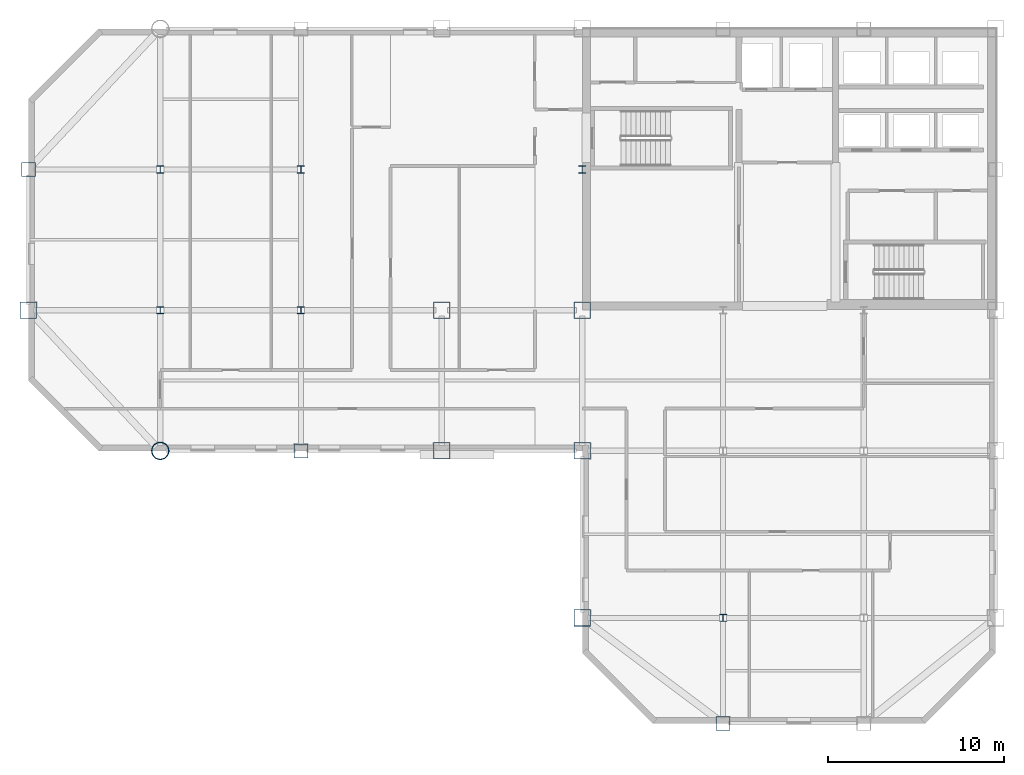
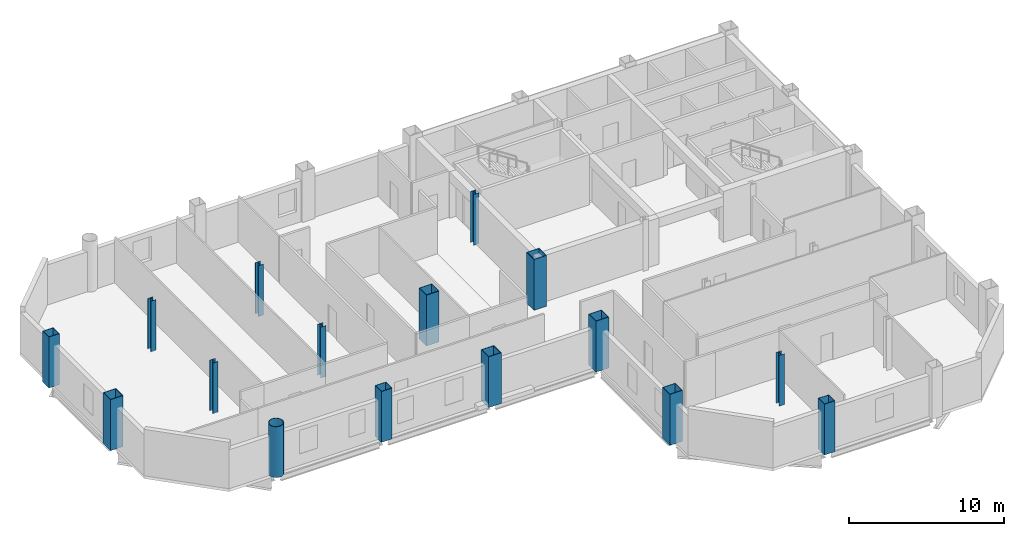
# One storey, part 1 of 11: 16 columns.
"""IFC4 building model written with IfcOpenShell, lengths in metres."""

from ifc_helpers import new_model, si_unit, direction, frame, origin, origin_2d, place, context, subcontext, project, spatial, hollow_rectangle, hollow_circle, i_section, extrude, material, material_profile, profile_set, type_object, element, save


model = new_model("IFC4")

# Units and contexts
model_context = context("Model", 3, precision=1e-05, world=origin(), true_north=direction((0.0, 1.0)))
body_context = subcontext(model_context, "Body", "Model", "MODEL_VIEW")
ifc_project = project(units=[si_unit("LENGTHUNIT", "METRE"), si_unit("AREAUNIT", "SQUARE_METRE"), si_unit("VOLUMEUNIT", "CUBIC_METRE"), si_unit("PLANEANGLEUNIT", "RADIAN"), si_unit("MASSUNIT", "GRAM", prefix="KILO")], contexts=[model_context])

# Site, building, storey
site_placement = place(None, origin())
site = spatial("IfcSite", under=ifc_project, at=site_placement, CompositionType="ELEMENT")
building_placement = place(site_placement, origin())
building = spatial("IfcBuilding", under=site, at=building_placement, Name="Qianrong Seaharbour Tower", CompositionType="ELEMENT")
storey_placement = place(building_placement, frame((0.0, 0.0, 277.800048828125)))
storey = spatial("IfcBuildingStorey", under=building, at=storey_placement, Name="L67", CompositionType="ELEMENT", Elevation=277.800048828125)

# Columns
ifc_material = material(Name="Structural steel SN490B", Category="steel")
ifc_material_profile_1 = material_profile(ifc_material, hollow_rectangle(XDim=0.949951171875, YDim=0.949951171875, WallThickness=0.035888671875, at=origin_2d()), Name="BOX950x950x36")
ifc_profile_set_1 = profile_set([ifc_material_profile_1], Name="Structural steel SN490B")
column_type_1 = type_object("IfcColumnType", Name="COL-CFT-950", PredefinedType="COLUMN", material=ifc_profile_set_1)
for number, where, z_axis, x_axis, name in (
    (1, (9.0, 36.0, 0.0), (0.0, 0.0, 1.0), (1.0, 0.0, 0.0), "L67 Column MC-4 at G2/GF"),
    (2, (32.5, 28.0, 0.0), (0.0, 0.0, 1.0), (1.0, 0.0, 0.0), "L67 Column MC-4 at G5/GE"),
    (3, (32.5, 36.0, 0.0), (0.0, 0.0, 1.0), (1.0, 0.0, 0.0), "L67 Column MC-4 at G5/GF"),
    (4, (40.5, 18.5, 0.0), (0.0, 0.0, 1.0), (1.0, 0.0, 0.0), "L67 Column MC-4 at G6/GD"),
    (5, (40.5, 28.0, 0.0), (0.0, 0.0, 1.0), (1.0, 0.0, 0.0), "L67 Column MC-4 at G6/GE"),
    (6, (40.5, 36.0, 0.0), (0.0, 0.0, 1.0), (1.0, 0.0, 0.0), "L67 Column MC-4 at G6/GF"),
):
    element("IfcColumn", number, at=place(storey_placement, frame(where, z_axis=z_axis, x_axis=x_axis)), inside=storey, type_object=column_type_1, Name=name, PredefinedType="COLUMN", context=body_context, shape_type="SweptSolid", body=[
        extrude(hollow_rectangle(XDim=0.949951171875, YDim=0.949951171875, WallThickness=0.035888671875, at=origin_2d()), origin(), (0.0, 0.0, 1.0), 4.0),
    ])
ifc_material_profile_2 = material_profile(ifc_material, hollow_circle(Radius=0.5, WallThickness=0.035888671875, at=origin_2d()), Name="CHS1000x36")
ifc_profile_set_2 = profile_set([ifc_material_profile_2], Name="Structural steel SN490B")
column_type_2 = type_object("IfcColumnType", Name="COL-CHS-1000", PredefinedType="COLUMN", material=ifc_profile_set_2)
column_placement = place(storey_placement, frame((16.5, 28.0, 0.0), z_axis=(0.0, 0.0, 1.0), x_axis=(1.0, 0.0, 0.0)))
element("IfcColumn", 7, at=column_placement, inside=storey, type_object=column_type_2, Name="L67 Column CC-2 at G3/GE", PredefinedType="COLUMN", context=body_context, shape_type="SweptSolid", body=[
    extrude(hollow_circle(Radius=0.5, WallThickness=0.035888671875, at=origin_2d()), origin(), (0.0, 0.0, 1.0), 4.0),
])
ifc_material_profile_3 = material_profile(ifc_material, i_section(OverallWidth=0.39990234375, OverallDepth=0.39990234375, WebThickness=0.012939453125, FlangeThickness=0.02099609375, FilletRadius=0.02197265625, at=origin_2d()), Name="H400x400x13x21")
ifc_profile_set_3 = profile_set([ifc_material_profile_3], Name="Structural steel SN490B")
column_type_3 = type_object("IfcColumnType", Name="COL-INT-H400", PredefinedType="COLUMN", material=ifc_profile_set_3)
for number, where, z_axis, x_axis, name in (
    (8, (16.5, 36.0, 0.0), (0.0, 0.0, 1.0), (1.0, 0.0, 0.0), "L67 Column IC-3 at G3/GF"),
    (9, (16.5, 44.0, 0.0), (0.0, 0.0, 1.0), (1.0, 0.0, 0.0), "L67 Column IC-3 at G3/GG"),
    (10, (24.5, 36.0, 0.0), (0.0, 0.0, 1.0), (1.0, 0.0, 0.0), "L67 Column IC-3 at G4/GF"),
    (11, (24.5, 44.0, 0.0), (0.0, 0.0, 1.0), (1.0, 0.0, 0.0), "L67 Column IC-3 at G4/GG"),
    (12, (40.5, 44.0, 0.0), (0.0, 0.0, 1.0), (1.0, 0.0, 0.0), "L67 Column IC-3 at G6/GG"),
    (13, (48.5, 18.5, 0.0), (0.0, 0.0, 1.0), (1.0, 0.0, 0.0), "L67 Column IC-3 at G7/GD"),
):
    element("IfcColumn", number, at=place(storey_placement, frame(where, z_axis=z_axis, x_axis=x_axis)), inside=storey, type_object=column_type_3, Name=name, PredefinedType="COLUMN", context=body_context, shape_type="SweptSolid", body=[
        extrude(i_section(OverallWidth=0.39990234375, OverallDepth=0.39990234375, WebThickness=0.012939453125, FlangeThickness=0.02099609375, FilletRadius=0.02197265625, at=origin_2d()), origin(), (0.0, 0.0, 1.0), 4.0),
    ])
ifc_material_profile_4 = material_profile(ifc_material, hollow_rectangle(XDim=0.800048828125, YDim=0.800048828125, WallThickness=0.031982421875, at=origin_2d()), Name="BOX800x800x32")
ifc_profile_set_4 = profile_set([ifc_material_profile_4], Name="Structural steel SN490B")
column_type_4 = type_object("IfcColumnType", Name="COL-PER-800", PredefinedType="COLUMN", material=ifc_profile_set_4)
for number, where, z_axis, x_axis, name in (
    (14, (9.0, 44.0, 0.0), (0.0, 0.0, 1.0), (1.0, 0.0, 0.0), "L67 Column PC-3 at G2/GG"),
    (15, (24.5, 28.0, 0.0), (0.0, 0.0, 1.0), (1.0, 0.0, 0.0), "L67 Column PC-3 at G4/GE"),
    (16, (48.5, 12.5, 0.0), (0.0, 0.0, 1.0), (1.0, 0.0, 0.0), "L67 Column PC-3 at G7/GC"),
):
    element("IfcColumn", number, at=place(storey_placement, frame(where, z_axis=z_axis, x_axis=x_axis)), inside=storey, type_object=column_type_4, Name=name, PredefinedType="COLUMN", context=body_context, shape_type="SweptSolid", body=[
        extrude(hollow_rectangle(XDim=0.800048828125, YDim=0.800048828125, WallThickness=0.031982421875, at=origin_2d()), origin(), (0.0, 0.0, 1.0), 4.0),
    ])

save(model, "model.ifc")
